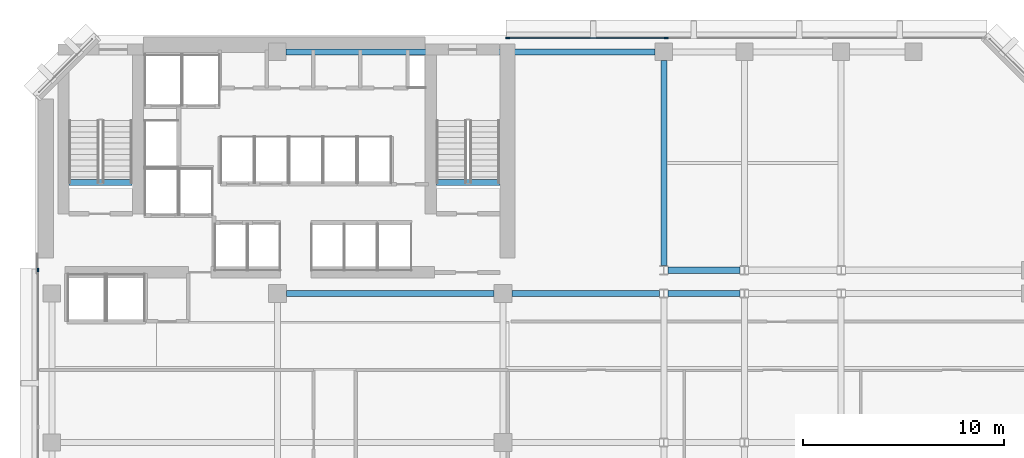
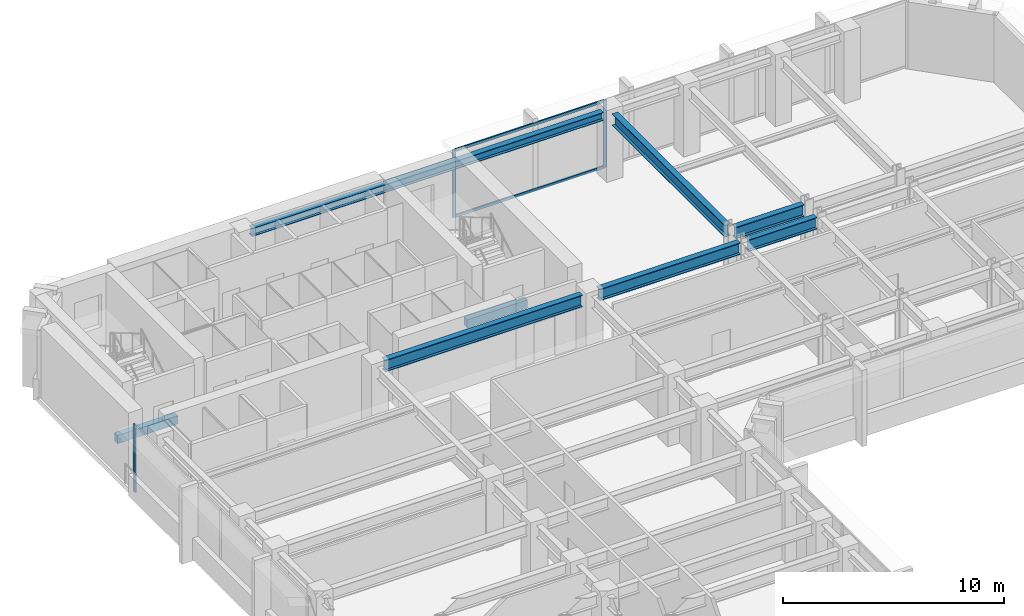
# One storey, part 4 of 12: 8 beams, 5 members, 2 elements without a shape of their own.
"""IFC4 building model written with IfcOpenShell, lengths in metres."""

from ifc_helpers import new_model, si_unit, direction, frame, origin, origin_2d, place, context, subcontext, project, spatial, rectangle, i_section, extrude, material, layer, layer_set, material_profile, profile_set, type_object, element, aggregate, save


model = new_model("IFC4")

# Units and contexts
model_context = context("Model", 3, precision=1e-05, world=origin(), true_north=direction((0.0, 1.0)))
body_context = subcontext(model_context, "Body", "Model", "MODEL_VIEW")
ifc_project = project(units=[si_unit("LENGTHUNIT", "METRE"), si_unit("AREAUNIT", "SQUARE_METRE"), si_unit("VOLUMEUNIT", "CUBIC_METRE"), si_unit("PLANEANGLEUNIT", "RADIAN"), si_unit("MASSUNIT", "GRAM", prefix="KILO")], contexts=[model_context])

# Site, building, storey
site_placement = place(None, origin())
site = spatial("IfcSite", under=ifc_project, at=site_placement, CompositionType="ELEMENT")
building_placement = place(site_placement, origin())
building = spatial("IfcBuilding", under=site, at=building_placement, Name="Kefirva Bronze Tower", CompositionType="ELEMENT")
storey_placement = place(building_placement, frame((0.0, 0.0, 110.550048828125)))
storey = spatial("IfcBuildingStorey", under=building, at=storey_placement, Name="L26", CompositionType="ELEMENT", Elevation=110.550048828125)

# Curtain wall, members
ifc_material_1 = material(Name="Bronze anodised aluminium", Category="aluminium")
ifc_layer = layer(ifc_material_1, 0.199951171875, Name="Bronze anodised aluminium")
ifc_layer_set = layer_set([ifc_layer], Name="Bronze anodised aluminium")
curtain_wall_type = type_object("IfcCurtainWallType", Name="Unitised Bronze Ribbon Curtain Wall Zone 2", PredefinedType="USERDEFINED", material=ifc_layer_set)
curtain_wall_1_placement = place(storey_placement, origin())
curtain_wall_1 = element("IfcCurtainWall", 1, at=curtain_wall_1_placement, inside=storey, type_object=curtain_wall_type, Name="L26 Curtain Wall 4", ObjectType="UNITISED CURTAIN WALL", PredefinedType="USERDEFINED")
ifc_material_profile_1 = material_profile(ifc_material_1, rectangle(XDim=0.074951171875, YDim=0.179931640625, at=origin_2d()), Name="ALU 75x180")
ifc_profile_set_1 = profile_set([ifc_material_profile_1], Name="Bronze anodised aluminium")
member_type_1 = type_object("IfcMemberType", Name="Bronze Mullion 75x180", PredefinedType="MULLION", material=ifc_profile_set_1)
member_1_placement = place(storey_placement, frame((31.318359375, 45.8798828125, 0.0), z_axis=(0.0, 0.0, 1.0), x_axis=(0.0, -1.0, 0.0)))
member_1 = element("IfcMember", 2, at=member_1_placement, type_object=member_type_1, Name="CW-02 mullion 3", PredefinedType="MULLION", context=body_context, shape_type="SweptSolid", body=[
    extrude(rectangle(XDim=0.074951171875, YDim=0.179931640625, at=origin_2d()), origin(), (0.0, 0.0, 1.0), 3.7099609375),
])
member_2_placement = place(storey_placement, frame((23.4423828125, 45.8798828125, 0.0), z_axis=(0.0, 0.0, 1.0), x_axis=(0.0, -1.0, 0.0)))
member_2 = element("IfcMember", 3, at=member_2_placement, type_object=member_type_1, Name="CW-02 mullion 4", PredefinedType="MULLION", context=body_context, shape_type="SweptSolid", body=[
    extrude(rectangle(XDim=0.074951171875, YDim=0.179931640625, at=origin_2d()), origin(), (0.0, 0.0, 1.0), 3.7099609375),
])

# Curtain wall, member
curtain_wall_2_placement = place(storey_placement, origin())
curtain_wall_2 = element("IfcCurtainWall", 4, at=curtain_wall_2_placement, inside=storey, type_object=curtain_wall_type, Name="L26 Curtain Wall 5", ObjectType="UNITISED CURTAIN WALL", PredefinedType="USERDEFINED")
member_3_placement = place(storey_placement, frame((0.1201171875, 34.357421875, 0.0), z_axis=(0.0, 0.0, 1.0), x_axis=(1.0, 0.0, 0.0)))
member_3 = element("IfcMember", 5, at=member_3_placement, type_object=member_type_1, Name="CW-02 mullion 1", PredefinedType="MULLION", context=body_context, shape_type="SweptSolid", body=[
    extrude(rectangle(XDim=0.074951171875, YDim=0.179931640625, at=origin_2d()), origin(), (0.0, 0.0, 1.0), 3.7099609375),
])
aggregate(curtain_wall_2, [member_3])

# Member
ifc_material_profile_2 = material_profile(ifc_material_1, rectangle(XDim=0.074951171875, YDim=0.14990234375, at=origin_2d()), Name="ALU 75x150")
ifc_profile_set_2 = profile_set([ifc_material_profile_2], Name="Bronze anodised aluminium")
member_type_2 = type_object("IfcMemberType", Name="Bronze Transom 75x150", PredefinedType="USERDEFINED", material=ifc_profile_set_2)
member_4_placement = place(storey_placement, frame((31.28076171875, 45.8798828125, 0.037353515625), z_axis=(-1.0, 0.0, 0.0), x_axis=(0.0, -1.0, 0.0)))
member_4 = element("IfcMember", 6, at=member_4_placement, type_object=member_type_2, Name="CW-02 transom 3.1", ObjectType="TRANSOM", PredefinedType="USERDEFINED", context=body_context, shape_type="SweptSolid", body=[
    extrude(rectangle(XDim=0.074951171875, YDim=0.14990234375, at=origin_2d()), origin(), (0.0, 0.0, 1.0), 7.80078125),
])

member_5_placement = place(storey_placement, frame((31.28076171875, 45.8798828125, 3.67236328125), z_axis=(-1.0, 0.0, 0.0), x_axis=(0.0, -1.0, 0.0)))
member_5 = element("IfcMember", 7, at=member_5_placement, type_object=member_type_2, Name="CW-02 transom 3.2", ObjectType="TRANSOM", PredefinedType="USERDEFINED", context=body_context, shape_type="SweptSolid", body=[
    extrude(rectangle(XDim=0.074951171875, YDim=0.14990234375, at=origin_2d()), origin(), (0.0, 0.0, 1.0), 7.80078125),
])

aggregate(curtain_wall_1, [member_1, member_2, member_4, member_5])

# Beams
ifc_material_2 = material(Name="Concrete C50/60", Category="concrete")
ifc_material_profile_3 = material_profile(ifc_material_2, rectangle(XDim=0.300048828125, YDim=0.449951171875, at=origin_2d()), Name="RC 300x450")
ifc_profile_set_3 = profile_set([ifc_material_profile_3], Name="Concrete C50/60")
beam_type_1 = type_object("IfcBeamType", Name="RC Stair Trimmer Beam 300x450", PredefinedType="BEAM", material=ifc_profile_set_3)
beam_1_placement = place(storey_placement, frame((1.64501953125, 38.699951171875, -0.22509765625), z_axis=(1.0, 0.0, 0.0), x_axis=(0.0, 1.0, 0.0)))
element("IfcBeam", 8, at=beam_1_placement, inside=storey, type_object=beam_type_1, Name="L26 Stair 1 Landing Trimmer Beam", PredefinedType="BEAM", context=body_context, shape_type="SweptSolid", body=[
    extrude(rectangle(XDim=0.300048828125, YDim=0.449951171875, at=origin_2d()), origin(), (0.0, 0.0, 1.0), 3.14990234375),
])
beam_2_placement = place(storey_placement, frame((19.89501953125, 38.699951171875, -0.22509765625), z_axis=(1.0, 0.0, 0.0), x_axis=(0.0, 1.0, 0.0)))
element("IfcBeam", 9, at=beam_2_placement, inside=storey, type_object=beam_type_1, Name="L26 Stair 2 Landing Trimmer Beam", PredefinedType="BEAM", context=body_context, shape_type="SweptSolid", body=[
    extrude(rectangle(XDim=0.300048828125, YDim=0.449951171875, at=origin_2d()), origin(), (0.0, 0.0, 1.0), 3.159912109375),
])
ifc_material_3 = material(Name="Steel S355", Category="steel")
ifc_material_profile_4 = material_profile(ifc_material_3, i_section(OverallWidth=0.300048828125, OverallDepth=0.64990234375, WebThickness=0.01611328125, FlangeThickness=0.031005859375, at=origin_2d()), Name="HEB 650")
ifc_profile_set_4 = profile_set([ifc_material_profile_4], Name="Steel S355")
beam_type_2 = type_object("IfcBeamType", Name="Steel Girder HEB 650", PredefinedType="USERDEFINED", material=ifc_profile_set_4)
beam_3_placement = place(storey_placement, frame((12.449951171875, 33.199951171875, 3.385009765625), z_axis=(1.0, 0.0, 0.0), x_axis=(0.0, 1.0, 0.0)))
element("IfcBeam", 10, at=beam_3_placement, inside=storey, type_object=beam_type_2, Name="L26 BM-L26-EW-12-332", ObjectType="GIRDER", PredefinedType="USERDEFINED", context=body_context, shape_type="SweptSolid", body=[
    extrude(i_section(OverallWidth=0.300048828125, OverallDepth=0.64990234375, WebThickness=0.01611328125, FlangeThickness=0.031005859375, at=origin_2d()), origin(), (0.0, 0.0, 1.0), 10.300048828125),
])
beam_4_placement = place(storey_placement, frame((23.64990234375, 33.199951171875, 3.385009765625), z_axis=(1.0, 0.0, 0.0), x_axis=(0.0, 1.0, 0.0)))
element("IfcBeam", 11, at=beam_4_placement, inside=storey, type_object=beam_type_2, Name="L26 BM-L26-EW-23-332", ObjectType="GIRDER", PredefinedType="USERDEFINED", context=body_context, shape_type="SweptSolid", body=[
    extrude(i_section(OverallWidth=0.300048828125, OverallDepth=0.64990234375, WebThickness=0.01611328125, FlangeThickness=0.031005859375, at=origin_2d()), origin(), (0.0, 0.0, 1.0), 7.341064453125),
])
for number, where, z_axis, x_axis, name in (
    (12, (31.408935546875, 33.199951171875, 3.385009765625), (1.0, 0.0, 0.0), (0.0, 1.0, 0.0), "L26 BM-L26-EW-31-332"),
    (13, (31.408935546875, 34.35009765625, 3.385009765625), (1.0, 0.0, 0.0), (0.0, 1.0, 0.0), "L26 BM-L26-EW-31-344"),
):
    element("IfcBeam", number, at=place(storey_placement, frame(where, z_axis=z_axis, x_axis=x_axis)), inside=storey, type_object=beam_type_2, Name=name, ObjectType="GIRDER", PredefinedType="USERDEFINED", context=body_context, shape_type="SweptSolid", body=[
        extrude(i_section(OverallWidth=0.300048828125, OverallDepth=0.64990234375, WebThickness=0.01611328125, FlangeThickness=0.031005859375, at=origin_2d()), origin(), (0.0, 0.0, 1.0), 3.58203125),
    ])
beam_5_placement = place(storey_placement, frame((31.199951171875, 34.577392578125, 3.385009765625), z_axis=(0.0, 1.0, 0.0), x_axis=(-1.0, 0.0, 0.0)))
element("IfcBeam", 14, at=beam_5_placement, inside=storey, type_object=beam_type_2, Name="L26 BM-L26-NS-312-34", ObjectType="GIRDER", PredefinedType="USERDEFINED", context=body_context, shape_type="SweptSolid", body=[
    extrude(i_section(OverallWidth=0.300048828125, OverallDepth=0.64990234375, WebThickness=0.01611328125, FlangeThickness=0.031005859375, at=origin_2d()), origin(), (0.0, 0.0, 1.0), 10.192626953125),
])
ifc_material_profile_5 = material_profile(ifc_material_3, i_section(OverallWidth=0.300048828125, OverallDepth=0.449951171875, WebThickness=0.013916015625, FlangeThickness=0.02587890625, at=origin_2d()), Name="HEB 450")
ifc_profile_set_5 = profile_set([ifc_material_profile_5], Name="Steel S355")
beam_type_3 = type_object("IfcBeamType", Name="Steel Spandrel HEB 450 Ext", PredefinedType="SPANDREL", material=ifc_profile_set_5)
beam_6_placement = place(storey_placement, frame((12.429931640625, 45.199951171875, 3.48486328125), z_axis=(1.0, 0.0, 0.0), x_axis=(0.0, 1.0, 0.0)))
element("IfcBeam", 15, at=beam_6_placement, inside=storey, type_object=beam_type_3, Name="L26 BM-L26-EW-12-452", PredefinedType="SPANDREL", context=body_context, shape_type="SweptSolid", body=[
    extrude(i_section(OverallWidth=0.300048828125, OverallDepth=0.449951171875, WebThickness=0.013916015625, FlangeThickness=0.02587890625, at=origin_2d()), origin(), (0.0, 0.0, 1.0), 18.340087890625),
])

save(model, "model.ifc")
